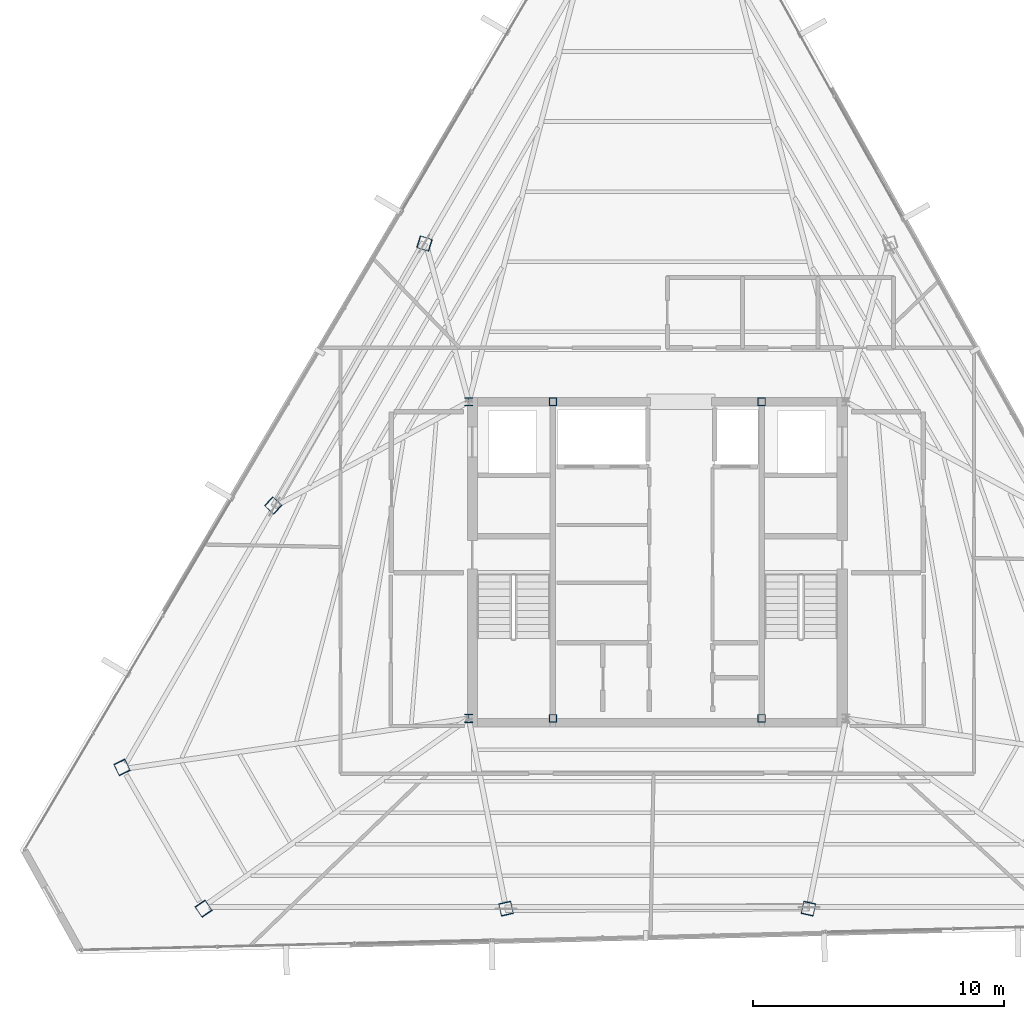
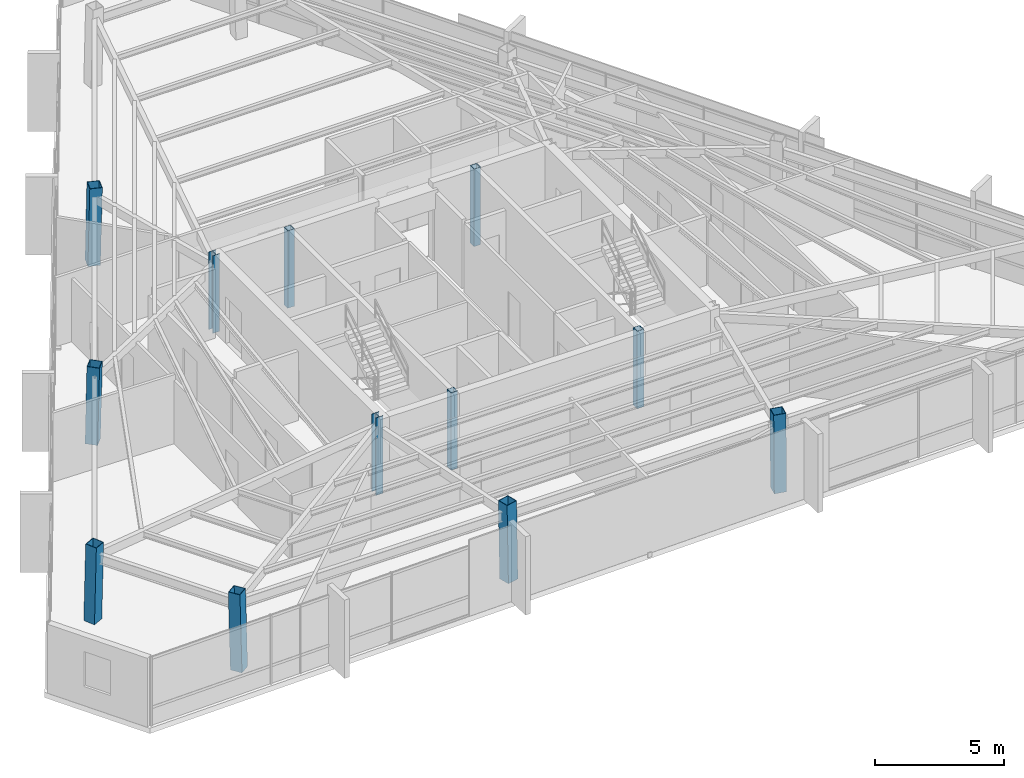
# One storey, part 1 of 44: 12 columns.
"""IFC4 building model written with IfcOpenShell, lengths in metres."""

from ifc_helpers import new_model, si_unit, direction, frame, origin, origin_2d, place, context, subcontext, project, spatial, hollow_rectangle, i_section, extrude, source, transform, mapped, material, material_profile, profile_set, type_object, type_shapes, element, save


model = new_model("IFC4")

# Units and contexts
model_context = context("Model", 3, precision=1e-05, world=origin(), true_north=direction((0.0, 1.0)))
body_context = subcontext(model_context, "Body", "Model", "MODEL_VIEW")
ifc_project = project(units=[si_unit("LENGTHUNIT", "METRE"), si_unit("AREAUNIT", "SQUARE_METRE"), si_unit("VOLUMEUNIT", "CUBIC_METRE"), si_unit("PLANEANGLEUNIT", "RADIAN"), si_unit("MASSUNIT", "GRAM", prefix="KILO")], contexts=[model_context])

# Site, building, storey
site_placement = place(None, origin())
site = spatial("IfcSite", under=ifc_project, at=site_placement, CompositionType="ELEMENT")
building_placement = place(site_placement, origin())
building = spatial("IfcBuilding", under=site, at=building_placement, Name="Caelisora Broadcast Tower", CompositionType="ELEMENT")
storey_placement = place(building_placement, frame((0.0, 0.0, 280.949951171875)))
storey = spatial("IfcBuildingStorey", under=building, at=storey_placement, Name="L74", CompositionType="ELEMENT", Elevation=280.949951171875)

# Columns
ifc_material_1 = material(Name="Steel Grade 350 (AS/NZS 3679.1)", Category="steel")
ifc_material_profile_1 = material_profile(ifc_material_1, i_section(OverallWidth=0.31103515625, OverallDepth=0.3271484375, WebThickness=0.015625, FlangeThickness=0.02490234375, at=origin_2d()), Name="Steel Grade 350 (AS/NZS 3679.1)")
ifc_profile_set_1 = profile_set([ifc_material_profile_1], Name="Steel Grade 350 (AS/NZS 3679.1)")
column_type_1 = type_object("IfcColumnType", Name="CC03", PredefinedType="COLUMN", material=ifc_profile_set_1)
shared_shape_1 = source(origin(), body_context, "Body", "SweptSolid", [
    extrude(i_section(OverallWidth=0.31103515625, OverallDepth=0.3271484375, WebThickness=0.015625, FlangeThickness=0.02490234375, at=origin_2d()), origin(), (0.0, 0.0, 1.0), 3.650146484375),
])
type_shapes(column_type_1, [shared_shape_1])
for number, where, z_axis, x_axis, name in (
    (1, (30.5, 17.39990234375, 0.0), (0.0, 0.0, 1.0), (1.0, 0.0, 0.0), "L74 column CC03"),
    (2, (30.5, 30.0, 0.0), (0.0, 0.0, 1.0), (1.0, 0.0, 0.0), "L74 column CC03"),
):
    element("IfcColumn", number, at=place(storey_placement, frame(where, z_axis=z_axis, x_axis=x_axis)), inside=storey, type_object=column_type_1, Name=name, PredefinedType="COLUMN", context=body_context, shape_type="MappedRepresentation", body=[
        mapped(shared_shape_1, transform((0.0, 0.0, 0.0), scale=1.0)),
    ])
ifc_material_2 = material(Name="Steel Grade 350 (AS/NZS 1163 C350L0)", Category="steel")
ifc_material_profile_2 = material_profile(ifc_material_2, hollow_rectangle(XDim=0.300048828125, YDim=0.300048828125, WallThickness=0.012451171875, at=origin_2d()), Name="Steel Grade 350 (AS/NZS 1163 C350L0)")
ifc_profile_set_2 = profile_set([ifc_material_profile_2], Name="Steel Grade 350 (AS/NZS 1163 C350L0)")
column_type_2 = type_object("IfcColumnType", Name="CC08", PredefinedType="COLUMN", material=ifc_profile_set_2)
shared_shape_2 = source(origin(), body_context, "Body", "SweptSolid", [
    extrude(hollow_rectangle(XDim=0.300048828125, YDim=0.300048828125, WallThickness=0.012451171875, at=origin_2d()), origin(), (0.0, 0.0, 1.0), 3.650146484375),
])
type_shapes(column_type_2, [shared_shape_2])
for number, where, z_axis, x_axis, name in (
    (3, (33.85009765625, 17.39990234375, 0.0), (0.0, 0.0, 1.0), (1.0, 0.0, 0.0), "L74 column CC08"),
    (4, (42.14990234375, 17.39990234375, 0.0), (0.0, 0.0, 1.0), (1.0, 0.0, 0.0), "L74 column CC08"),
    (5, (33.85009765625, 30.0, 0.0), (0.0, 0.0, 1.0), (1.0, 0.0, 0.0), "L74 column CC08"),
    (6, (42.14990234375, 30.0, 0.0), (0.0, 0.0, 1.0), (1.0, 0.0, 0.0), "L74 column CC08"),
):
    element("IfcColumn", number, at=place(storey_placement, frame(where, z_axis=z_axis, x_axis=x_axis)), inside=storey, type_object=column_type_2, Name=name, PredefinedType="COLUMN", context=body_context, shape_type="MappedRepresentation", body=[
        mapped(shared_shape_2, transform((0.0, 0.0, 0.0), scale=1.0)),
    ])
ifc_material_3 = material(Name="Steel Grade 350 L15 (AS/NZS 3678)", Category="steel")
ifc_material_profile_3 = material_profile(ifc_material_3, hollow_rectangle(XDim=0.5, YDim=0.5, WallThickness=0.02001953125, at=origin_2d()), Name="Steel Grade 350 L15 (AS/NZS 3678)")
ifc_profile_set_3 = profile_set([ifc_material_profile_3], Name="Steel Grade 350 L15 (AS/NZS 3678)")
column_type_3 = type_object("IfcColumnType", Name="MC07", PredefinedType="COLUMN", material=ifc_profile_set_3)
shared_shape_3 = source(origin(), body_context, "Body", "SweptSolid", [
    extrude(hollow_rectangle(XDim=0.5, YDim=0.5, WallThickness=0.02001953125, at=origin_2d()), origin(), (0.0, 0.0, 1.0), 3.651123046875),
])
for number, where, z_axis, x_axis, name in (
    (7, (16.696044921875, 15.4638671875, 0.0), (0.010364239282, -0.021530871282, 0.999714461297), (0.901042175273, 0.433731481886, 0.0), "L74 column MC07"),
    (8, (19.95556640625, 9.818115234375, 0.0), (-0.013440068782, 0.019792340097, 0.999713772949), (-0.827290216258, -0.561774775229, 0.0), "L74 column MC07"),
):
    element("IfcColumn", number, at=place(storey_placement, frame(where, z_axis=z_axis, x_axis=x_axis)), inside=storey, type_object=column_type_3, Name=name, PredefinedType="COLUMN", context=body_context, shape_type="MappedRepresentation", body=[
        mapped(shared_shape_3, transform((0.0, 0.0, 0.0), scale=1.0)),
    ])
shared_shape_4 = source(origin(), body_context, "Body", "SweptSolid", [
    extrude(hollow_rectangle(XDim=0.5, YDim=0.5, WallThickness=0.02001953125, at=origin_2d()), origin(), (0.0, 0.0, 1.0), 3.65087890625),
])
type_shapes(column_type_3, [shared_shape_3, shared_shape_4])
for number, where, z_axis, x_axis, name in (
    (9, (28.7255859375, 36.2998046875, 0.0), (0.01939269685, -0.00601842316, 0.999793829693), (0.296399214872, 0.955064136811, 0.0), "L74 column MC07"),
    (10, (22.710693359375, 25.8818359375, 0.0), (0.014912316331, -0.013775502979, 0.999793907933), (0.678553674548, 0.734550822447, 0.0), "L74 column MC07"),
    (11, (31.985107421875, 9.818115234375, 0.0), (-0.004480382638, 0.019793929266, 0.999794042058), (-0.975326687046, -0.220766513622, 0.0), "L74 column MC07"),
    (12, (44.014892578125, 9.818115234375, 0.0), (0.004480382638, 0.019793929266, 0.999794042058), (-0.975326687046, 0.220766513622, 0.0), "L74 column MC07"),
):
    element("IfcColumn", number, at=place(storey_placement, frame(where, z_axis=z_axis, x_axis=x_axis)), inside=storey, type_object=column_type_3, Name=name, PredefinedType="COLUMN", context=body_context, shape_type="MappedRepresentation", body=[
        mapped(shared_shape_4, transform((0.0, 0.0, 0.0), scale=1.0)),
    ])

save(model, "model.ifc")
